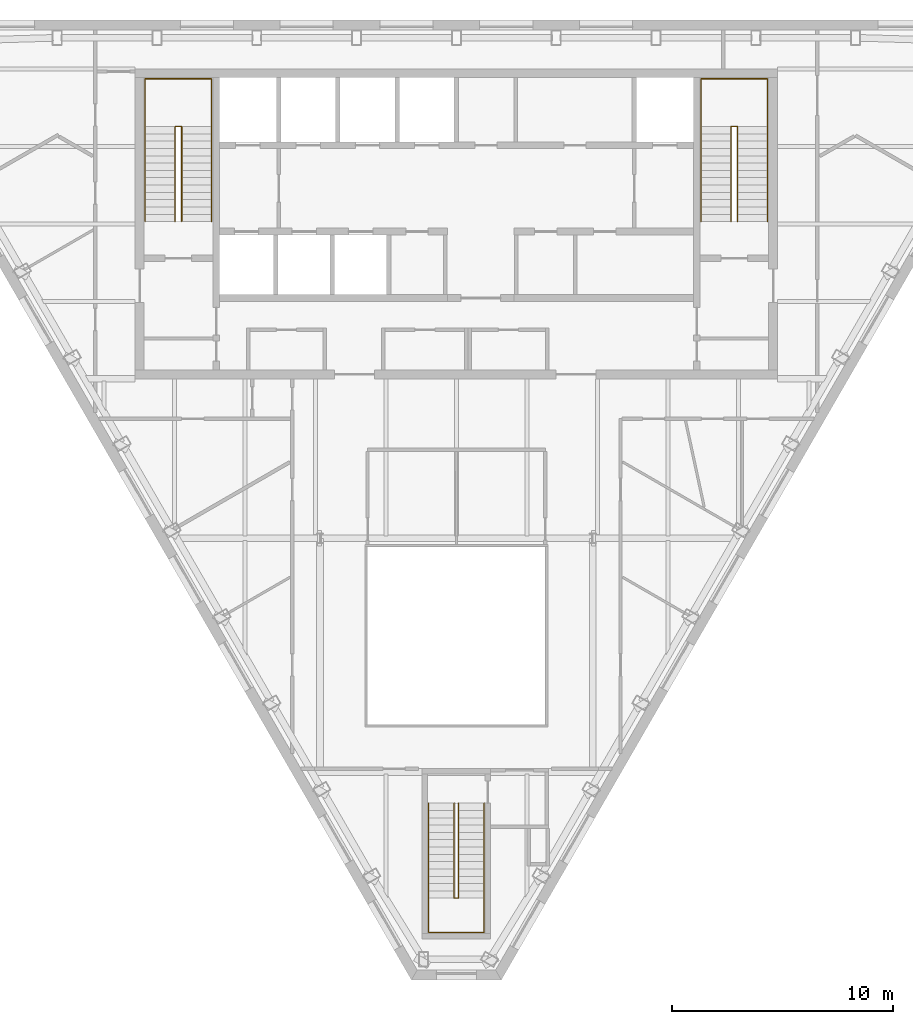
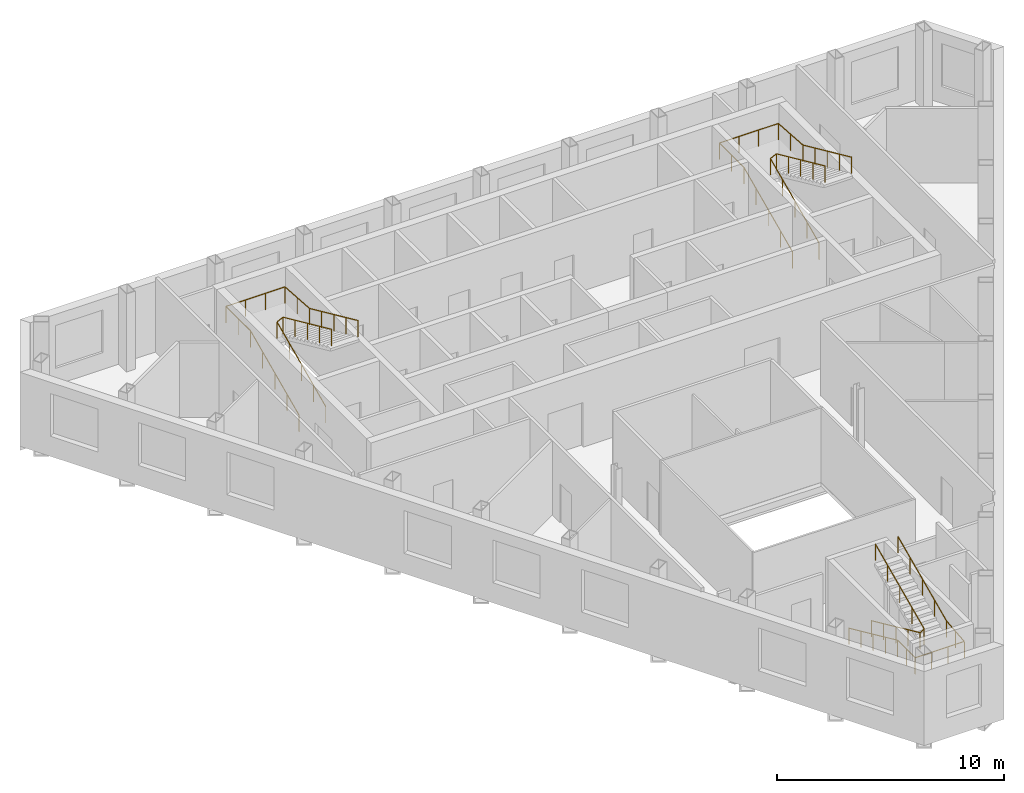
# One storey, part 10 of 10: 6 railings.
"""IFC4 building model written with IfcOpenShell, lengths in metres."""

from ifc_helpers import new_model, si_unit, direction, frame, origin, origin_2d, place, context, subcontext, project, spatial, circle, extrude, material, type_object, element, save


model = new_model("IFC4")

# Units and contexts
model_context = context("Model", 3, precision=1e-05, world=origin(), true_north=direction((0.0, 1.0)))
body_context = subcontext(model_context, "Body", "Model", "MODEL_VIEW")
ifc_project = project(units=[si_unit("LENGTHUNIT", "METRE"), si_unit("AREAUNIT", "SQUARE_METRE"), si_unit("VOLUMEUNIT", "CUBIC_METRE"), si_unit("PLANEANGLEUNIT", "RADIAN"), si_unit("MASSUNIT", "GRAM", prefix="KILO")], contexts=[model_context])

# Site, building, storey
site_placement = place(None, origin())
site = spatial("IfcSite", under=ifc_project, at=site_placement, CompositionType="ELEMENT")
building_placement = place(site_placement, origin())
building = spatial("IfcBuilding", under=site, at=building_placement, Name="Njiva Tower", CompositionType="ELEMENT")
storey_placement = place(building_placement, frame((0.0, 0.0, 329.4)))
storey = spatial("IfcBuildingStorey", under=building, at=storey_placement, Name="L75", CompositionType="ELEMENT", Elevation=329.4)

# Railings
ifc_material = material(Name="Stainless steel", Category="steel")
railing_type = type_object("IfcRailingType", Name="RL1 Stair handrail 900", PredefinedType="HANDRAIL", material=ifc_material)
railing_1_placement = place(storey_placement, frame((-14.05, 11.1, 0.15)))
element("IfcRailing", 1, at=railing_1_placement, inside=storey, type_object=railing_type, Name="Stair A handrail", PredefinedType="HANDRAIL", context=body_context, shape_type="SweptSolid", body=[
    extrude(circle(Radius=0.024, at=origin_2d()), frame((0.0, 0.0, 0.876), z_axis=(0.0, 0.910366477463, 0.413802944301), x_axis=(-1.0, 0.0, 0.0)), (0.0, 0.0, 1.0), 4.7124),
    extrude(circle(Radius=0.024, at=origin_2d()), frame((0.0, 4.29, 2.826), z_axis=(0.0, 1.0, 0.0), x_axis=(-1.0, 0.0, 0.0)), (0.0, 0.0, 1.0), 2.16),
    extrude(circle(Radius=0.024, at=origin_2d()), frame((0.0, 6.45, 2.826), z_axis=(1.0, 0.0, 0.0), x_axis=(0.0, 1.0, 0.0)), (0.0, 0.0, 1.0), 3.0),
    extrude(circle(Radius=0.024, at=origin_2d()), frame((3.0, 6.45, 2.826), z_axis=(0.0, -0.997597420968, 0.069277598678), x_axis=(1.0, 0.0, 0.0)), (0.0, 0.0, 1.0), 2.1652),
    extrude(circle(Radius=0.024, at=origin_2d()), frame((3.0, 4.29, 2.976), z_axis=(0.0, -0.910366477463, 0.413802944301), x_axis=(1.0, 0.0, 0.0)), (0.0, 0.0, 1.0), 4.7124),
    extrude(circle(Radius=0.021, at=origin_2d()), origin(), (0.0, 0.0, 1.0), 0.852),
    extrude(circle(Radius=0.021, at=origin_2d()), frame((0.0, 1.0725, 0.4875)), (0.0, 0.0, 1.0), 0.852),
    extrude(circle(Radius=0.021, at=origin_2d()), frame((0.0, 2.145, 0.975)), (0.0, 0.0, 1.0), 0.852),
    extrude(circle(Radius=0.021, at=origin_2d()), frame((0.0, 3.2175, 1.4625)), (0.0, 0.0, 1.0), 0.852),
    extrude(circle(Radius=0.021, at=origin_2d()), frame((0.0, 4.29, 1.95)), (0.0, 0.0, 1.0), 0.852),
    extrude(circle(Radius=0.021, at=origin_2d()), frame((0.0, 5.37, 1.95)), (0.0, 0.0, 1.0), 0.852),
    extrude(circle(Radius=0.021, at=origin_2d()), frame((0.0, 6.45, 1.95)), (0.0, 0.0, 1.0), 0.852),
    extrude(circle(Radius=0.021, at=origin_2d()), frame((1.0, 6.45, 1.95)), (0.0, 0.0, 1.0), 0.852),
    extrude(circle(Radius=0.021, at=origin_2d()), frame((2.0, 6.45, 1.95)), (0.0, 0.0, 1.0), 0.852),
    extrude(circle(Radius=0.021, at=origin_2d()), frame((3.0, 6.45, 1.95)), (0.0, 0.0, 1.0), 0.852),
    extrude(circle(Radius=0.021, at=origin_2d()), frame((3.0, 5.37, 2.025)), (0.0, 0.0, 1.0), 0.852),
    extrude(circle(Radius=0.021, at=origin_2d()), frame((3.0, 4.29, 2.1)), (0.0, 0.0, 1.0), 0.852),
    extrude(circle(Radius=0.021, at=origin_2d()), frame((3.0, 3.2175, 2.5875)), (0.0, 0.0, 1.0), 0.852),
    extrude(circle(Radius=0.021, at=origin_2d()), frame((3.0, 2.145, 3.075)), (0.0, 0.0, 1.0), 0.852),
    extrude(circle(Radius=0.021, at=origin_2d()), frame((3.0, 1.0725, 3.5625)), (0.0, 0.0, 1.0), 0.852),
    extrude(circle(Radius=0.021, at=origin_2d()), frame((3.0, 0.0, 4.05)), (0.0, 0.0, 1.0), 0.852),
])
railing_2_placement = place(storey_placement, frame((-12.7, 11.1, 0.15)))
element("IfcRailing", 2, at=railing_2_placement, inside=storey, type_object=railing_type, Name="Stair A handrail", PredefinedType="HANDRAIL", context=body_context, shape_type="SweptSolid", body=[
    extrude(circle(Radius=0.024, at=origin_2d()), frame((0.0, 0.0, 0.876), z_axis=(0.0, 0.910366477463, 0.413802944301), x_axis=(-1.0, 0.0, 0.0)), (0.0, 0.0, 1.0), 4.7124),
    extrude(circle(Radius=0.024, at=origin_2d()), frame((0.0, 4.29, 2.826), z_axis=(0.894427191, 0.0, 0.4472135955), x_axis=(0.0, 1.0, 0.0)), (0.0, 0.0, 1.0), 0.3354),
    extrude(circle(Radius=0.024, at=origin_2d()), frame((0.3, 4.29, 2.976), z_axis=(0.0, -0.910366477463, 0.413802944301), x_axis=(1.0, 0.0, 0.0)), (0.0, 0.0, 1.0), 4.7124),
    extrude(circle(Radius=0.021, at=origin_2d()), origin(), (0.0, 0.0, 1.0), 0.852),
    extrude(circle(Radius=0.021, at=origin_2d()), frame((0.0, 1.0725, 0.4875)), (0.0, 0.0, 1.0), 0.852),
    extrude(circle(Radius=0.021, at=origin_2d()), frame((0.0, 2.145, 0.975)), (0.0, 0.0, 1.0), 0.852),
    extrude(circle(Radius=0.021, at=origin_2d()), frame((0.0, 3.2175, 1.4625)), (0.0, 0.0, 1.0), 0.852),
    extrude(circle(Radius=0.021, at=origin_2d()), frame((0.0, 4.29, 1.95)), (0.0, 0.0, 1.0), 0.852),
    extrude(circle(Radius=0.021, at=origin_2d()), frame((0.3, 4.29, 2.1)), (0.0, 0.0, 1.0), 0.852),
    extrude(circle(Radius=0.021, at=origin_2d()), frame((0.3, 3.2175, 2.5875)), (0.0, 0.0, 1.0), 0.852),
    extrude(circle(Radius=0.021, at=origin_2d()), frame((0.3, 2.145, 3.075)), (0.0, 0.0, 1.0), 0.852),
    extrude(circle(Radius=0.021, at=origin_2d()), frame((0.3, 1.0725, 3.5625)), (0.0, 0.0, 1.0), 0.852),
    extrude(circle(Radius=0.021, at=origin_2d()), frame((0.3, 0.0, 4.05)), (0.0, 0.0, 1.0), 0.852),
])
railing_3_placement = place(storey_placement, frame((11.05, 11.1, 0.15)))
element("IfcRailing", 3, at=railing_3_placement, inside=storey, type_object=railing_type, Name="Stair B handrail", PredefinedType="HANDRAIL", context=body_context, shape_type="SweptSolid", body=[
    extrude(circle(Radius=0.024, at=origin_2d()), frame((0.0, 0.0, 0.876), z_axis=(0.0, 0.910366477463, 0.413802944301), x_axis=(-1.0, 0.0, 0.0)), (0.0, 0.0, 1.0), 4.7124),
    extrude(circle(Radius=0.024, at=origin_2d()), frame((0.0, 4.29, 2.826), z_axis=(0.0, 1.0, 0.0), x_axis=(-1.0, 0.0, 0.0)), (0.0, 0.0, 1.0), 2.16),
    extrude(circle(Radius=0.024, at=origin_2d()), frame((0.0, 6.45, 2.826), z_axis=(1.0, 0.0, 0.0), x_axis=(0.0, 1.0, 0.0)), (0.0, 0.0, 1.0), 3.0),
    extrude(circle(Radius=0.024, at=origin_2d()), frame((3.0, 6.45, 2.826), z_axis=(0.0, -0.997597420968, 0.069277598678), x_axis=(1.0, 0.0, 0.0)), (0.0, 0.0, 1.0), 2.1652),
    extrude(circle(Radius=0.024, at=origin_2d()), frame((3.0, 4.29, 2.976), z_axis=(0.0, -0.910366477463, 0.413802944301), x_axis=(1.0, 0.0, 0.0)), (0.0, 0.0, 1.0), 4.7124),
    extrude(circle(Radius=0.021, at=origin_2d()), origin(), (0.0, 0.0, 1.0), 0.852),
    extrude(circle(Radius=0.021, at=origin_2d()), frame((0.0, 1.0725, 0.4875)), (0.0, 0.0, 1.0), 0.852),
    extrude(circle(Radius=0.021, at=origin_2d()), frame((0.0, 2.145, 0.975)), (0.0, 0.0, 1.0), 0.852),
    extrude(circle(Radius=0.021, at=origin_2d()), frame((0.0, 3.2175, 1.4625)), (0.0, 0.0, 1.0), 0.852),
    extrude(circle(Radius=0.021, at=origin_2d()), frame((0.0, 4.29, 1.95)), (0.0, 0.0, 1.0), 0.852),
    extrude(circle(Radius=0.021, at=origin_2d()), frame((0.0, 5.37, 1.95)), (0.0, 0.0, 1.0), 0.852),
    extrude(circle(Radius=0.021, at=origin_2d()), frame((0.0, 6.45, 1.95)), (0.0, 0.0, 1.0), 0.852),
    extrude(circle(Radius=0.021, at=origin_2d()), frame((1.0, 6.45, 1.95)), (0.0, 0.0, 1.0), 0.852),
    extrude(circle(Radius=0.021, at=origin_2d()), frame((2.0, 6.45, 1.95)), (0.0, 0.0, 1.0), 0.852),
    extrude(circle(Radius=0.021, at=origin_2d()), frame((3.0, 6.45, 1.95)), (0.0, 0.0, 1.0), 0.852),
    extrude(circle(Radius=0.021, at=origin_2d()), frame((3.0, 5.37, 2.025)), (0.0, 0.0, 1.0), 0.852),
    extrude(circle(Radius=0.021, at=origin_2d()), frame((3.0, 4.29, 2.1)), (0.0, 0.0, 1.0), 0.852),
    extrude(circle(Radius=0.021, at=origin_2d()), frame((3.0, 3.2175, 2.5875)), (0.0, 0.0, 1.0), 0.852),
    extrude(circle(Radius=0.021, at=origin_2d()), frame((3.0, 2.145, 3.075)), (0.0, 0.0, 1.0), 0.852),
    extrude(circle(Radius=0.021, at=origin_2d()), frame((3.0, 1.0725, 3.5625)), (0.0, 0.0, 1.0), 0.852),
    extrude(circle(Radius=0.021, at=origin_2d()), frame((3.0, 0.0, 4.05)), (0.0, 0.0, 1.0), 0.852),
])
railing_4_placement = place(storey_placement, frame((12.4, 11.1, 0.15)))
element("IfcRailing", 4, at=railing_4_placement, inside=storey, type_object=railing_type, Name="Stair B handrail", PredefinedType="HANDRAIL", context=body_context, shape_type="SweptSolid", body=[
    extrude(circle(Radius=0.024, at=origin_2d()), frame((0.0, 0.0, 0.876), z_axis=(0.0, 0.910366477463, 0.413802944301), x_axis=(-1.0, 0.0, 0.0)), (0.0, 0.0, 1.0), 4.7124),
    extrude(circle(Radius=0.024, at=origin_2d()), frame((0.0, 4.29, 2.826), z_axis=(0.894427191, 0.0, 0.4472135955), x_axis=(0.0, 1.0, 0.0)), (0.0, 0.0, 1.0), 0.3354),
    extrude(circle(Radius=0.024, at=origin_2d()), frame((0.3, 4.29, 2.976), z_axis=(0.0, -0.910366477463, 0.413802944301), x_axis=(1.0, 0.0, 0.0)), (0.0, 0.0, 1.0), 4.7124),
    extrude(circle(Radius=0.021, at=origin_2d()), origin(), (0.0, 0.0, 1.0), 0.852),
    extrude(circle(Radius=0.021, at=origin_2d()), frame((0.0, 1.0725, 0.4875)), (0.0, 0.0, 1.0), 0.852),
    extrude(circle(Radius=0.021, at=origin_2d()), frame((0.0, 2.145, 0.975)), (0.0, 0.0, 1.0), 0.852),
    extrude(circle(Radius=0.021, at=origin_2d()), frame((0.0, 3.2175, 1.4625)), (0.0, 0.0, 1.0), 0.852),
    extrude(circle(Radius=0.021, at=origin_2d()), frame((0.0, 4.29, 1.95)), (0.0, 0.0, 1.0), 0.852),
    extrude(circle(Radius=0.021, at=origin_2d()), frame((0.3, 4.29, 2.1)), (0.0, 0.0, 1.0), 0.852),
    extrude(circle(Radius=0.021, at=origin_2d()), frame((0.3, 3.2175, 2.5875)), (0.0, 0.0, 1.0), 0.852),
    extrude(circle(Radius=0.021, at=origin_2d()), frame((0.3, 2.145, 3.075)), (0.0, 0.0, 1.0), 0.852),
    extrude(circle(Radius=0.021, at=origin_2d()), frame((0.3, 1.0725, 3.5625)), (0.0, 0.0, 1.0), 0.852),
    extrude(circle(Radius=0.021, at=origin_2d()), frame((0.3, 0.0, 4.05)), (0.0, 0.0, 1.0), 0.852),
])
railing_5_placement = place(storey_placement, frame((-1.25, -15.16, 0.15)))
element("IfcRailing", 5, at=railing_5_placement, inside=storey, type_object=railing_type, Name="Stair C handrail", PredefinedType="HANDRAIL", context=body_context, shape_type="SweptSolid", body=[
    extrude(circle(Radius=0.024, at=origin_2d()), frame((0.0, 0.0, 0.876), z_axis=(0.0, -0.910366477463, 0.413802944301), x_axis=(1.0, 0.0, 0.0)), (0.0, 0.0, 1.0), 4.7124),
    extrude(circle(Radius=0.024, at=origin_2d()), frame((0.0, -4.29, 2.826), z_axis=(0.0, -1.0, 0.0), x_axis=(1.0, 0.0, 0.0)), (0.0, 0.0, 1.0), 1.55),
    extrude(circle(Radius=0.024, at=origin_2d()), frame((0.0, -5.84, 2.826), z_axis=(1.0, 0.0, 0.0), x_axis=(0.0, 1.0, 0.0)), (0.0, 0.0, 1.0), 2.5),
    extrude(circle(Radius=0.024, at=origin_2d()), frame((2.5, -5.84, 2.826), z_axis=(0.0, 0.995350013555, 0.09632419486), x_axis=(-1.0, 0.0, 0.0)), (0.0, 0.0, 1.0), 1.5572),
    extrude(circle(Radius=0.024, at=origin_2d()), frame((2.5, -4.29, 2.976), z_axis=(0.0, 0.910366477463, 0.413802944301), x_axis=(-1.0, 0.0, 0.0)), (0.0, 0.0, 1.0), 4.7124),
    extrude(circle(Radius=0.021, at=origin_2d()), origin(), (0.0, 0.0, 1.0), 0.852),
    extrude(circle(Radius=0.021, at=origin_2d()), frame((0.0, -1.0725, 0.4875)), (0.0, 0.0, 1.0), 0.852),
    extrude(circle(Radius=0.021, at=origin_2d()), frame((0.0, -2.145, 0.975)), (0.0, 0.0, 1.0), 0.852),
    extrude(circle(Radius=0.021, at=origin_2d()), frame((0.0, -3.2175, 1.4625)), (0.0, 0.0, 1.0), 0.852),
    extrude(circle(Radius=0.021, at=origin_2d()), frame((0.0, -4.29, 1.95)), (0.0, 0.0, 1.0), 0.852),
    extrude(circle(Radius=0.021, at=origin_2d()), frame((0.0, -5.065, 1.95)), (0.0, 0.0, 1.0), 0.852),
    extrude(circle(Radius=0.021, at=origin_2d()), frame((0.0, -5.84, 1.95)), (0.0, 0.0, 1.0), 0.852),
    extrude(circle(Radius=0.021, at=origin_2d()), frame((0.8333, -5.84, 1.95)), (0.0, 0.0, 1.0), 0.852),
    extrude(circle(Radius=0.021, at=origin_2d()), frame((1.6667, -5.84, 1.95)), (0.0, 0.0, 1.0), 0.852),
    extrude(circle(Radius=0.021, at=origin_2d()), frame((2.5, -5.84, 1.95)), (0.0, 0.0, 1.0), 0.852),
    extrude(circle(Radius=0.021, at=origin_2d()), frame((2.5, -5.065, 2.025)), (0.0, 0.0, 1.0), 0.852),
    extrude(circle(Radius=0.021, at=origin_2d()), frame((2.5, -4.29, 2.1)), (0.0, 0.0, 1.0), 0.852),
    extrude(circle(Radius=0.021, at=origin_2d()), frame((2.5, -3.2175, 2.5875)), (0.0, 0.0, 1.0), 0.852),
    extrude(circle(Radius=0.021, at=origin_2d()), frame((2.5, -2.145, 3.075)), (0.0, 0.0, 1.0), 0.852),
    extrude(circle(Radius=0.021, at=origin_2d()), frame((2.5, -1.0725, 3.5625)), (0.0, 0.0, 1.0), 0.852),
    extrude(circle(Radius=0.021, at=origin_2d()), frame((2.5, 0.0, 4.05)), (0.0, 0.0, 1.0), 0.852),
])
railing_6_placement = place(storey_placement, frame((-0.1, -15.16, 0.15)))
element("IfcRailing", 6, at=railing_6_placement, inside=storey, type_object=railing_type, Name="Stair C handrail", PredefinedType="HANDRAIL", context=body_context, shape_type="SweptSolid", body=[
    extrude(circle(Radius=0.024, at=origin_2d()), frame((0.0, 0.0, 0.876), z_axis=(0.0, -0.910366477463, 0.413802944301), x_axis=(1.0, 0.0, 0.0)), (0.0, 0.0, 1.0), 4.7124),
    extrude(circle(Radius=0.024, at=origin_2d()), frame((0.0, -4.29, 2.826), z_axis=(0.8, 0.0, 0.6), x_axis=(0.0, 1.0, 0.0)), (0.0, 0.0, 1.0), 0.25),
    extrude(circle(Radius=0.024, at=origin_2d()), frame((0.2, -4.29, 2.976), z_axis=(0.0, 0.910366477463, 0.413802944301), x_axis=(-1.0, 0.0, 0.0)), (0.0, 0.0, 1.0), 4.7124),
    extrude(circle(Radius=0.021, at=origin_2d()), origin(), (0.0, 0.0, 1.0), 0.852),
    extrude(circle(Radius=0.021, at=origin_2d()), frame((0.0, -1.0725, 0.4875)), (0.0, 0.0, 1.0), 0.852),
    extrude(circle(Radius=0.021, at=origin_2d()), frame((0.0, -2.145, 0.975)), (0.0, 0.0, 1.0), 0.852),
    extrude(circle(Radius=0.021, at=origin_2d()), frame((0.0, -3.2175, 1.4625)), (0.0, 0.0, 1.0), 0.852),
    extrude(circle(Radius=0.021, at=origin_2d()), frame((0.0, -4.29, 1.95)), (0.0, 0.0, 1.0), 0.852),
    extrude(circle(Radius=0.021, at=origin_2d()), frame((0.2, -4.29, 2.1)), (0.0, 0.0, 1.0), 0.852),
    extrude(circle(Radius=0.021, at=origin_2d()), frame((0.2, -3.2175, 2.5875)), (0.0, 0.0, 1.0), 0.852),
    extrude(circle(Radius=0.021, at=origin_2d()), frame((0.2, -2.145, 3.075)), (0.0, 0.0, 1.0), 0.852),
    extrude(circle(Radius=0.021, at=origin_2d()), frame((0.2, -1.0725, 3.5625)), (0.0, 0.0, 1.0), 0.852),
    extrude(circle(Radius=0.021, at=origin_2d()), frame((0.2, 0.0, 4.05)), (0.0, 0.0, 1.0), 0.852),
])

save(model, "model.ifc")
